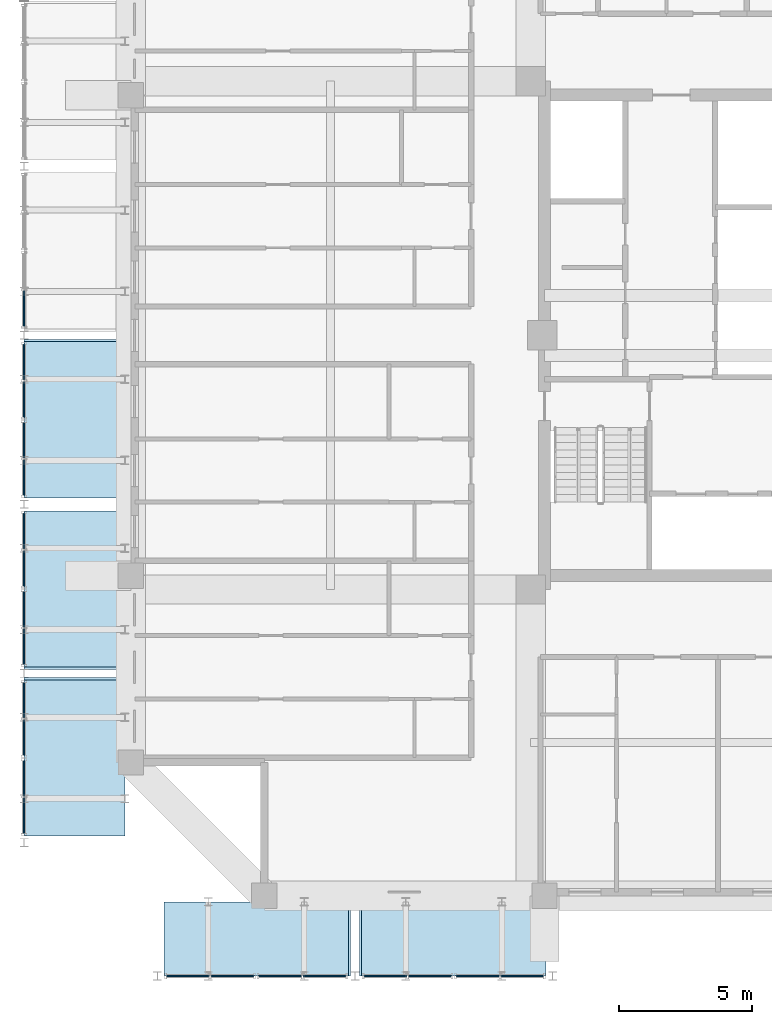
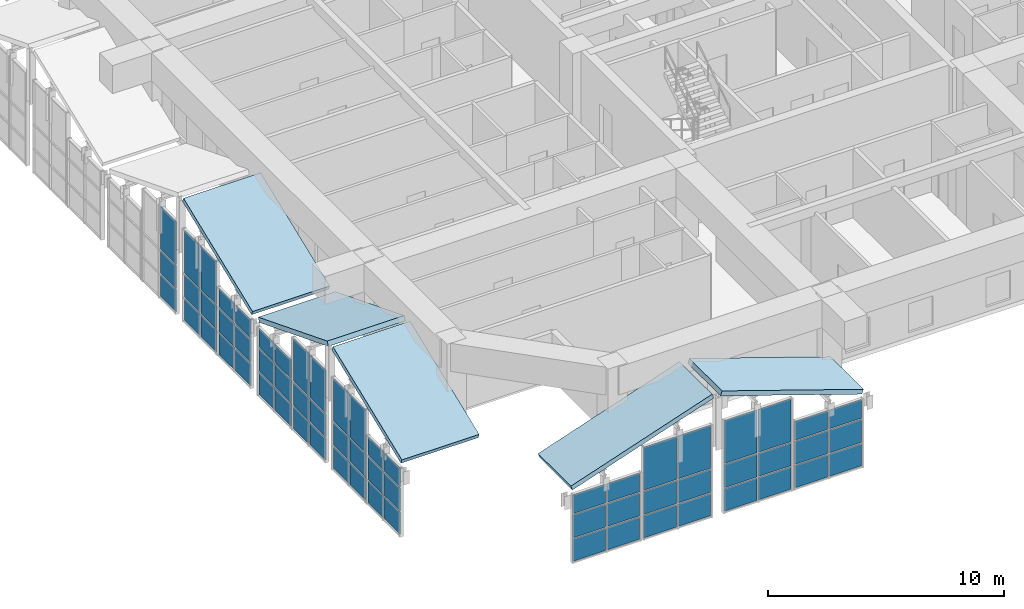
# One storey, part 32 of 45: 63 plates, 5 slabs, 11 elements without a shape of their own.
"""IFC4 building model written with IfcOpenShell, lengths in metres."""

from ifc_helpers import new_model, si_unit, direction, frame, origin, origin_2d, place, context, subcontext, project, spatial, polyline, rectangle, outline, extrude, source, transform, mapped, material, layer, layer_set, type_object, element, aggregate, save


model = new_model("IFC4")

# Units and contexts
model_context = context("Model", 3, precision=1e-05, world=origin(), true_north=direction((0.0, 1.0)))
body_context = subcontext(model_context, "Body", "Model", "MODEL_VIEW")
ifc_project = project(units=[si_unit("LENGTHUNIT", "METRE"), si_unit("AREAUNIT", "SQUARE_METRE"), si_unit("VOLUMEUNIT", "CUBIC_METRE"), si_unit("PLANEANGLEUNIT", "RADIAN"), si_unit("MASSUNIT", "GRAM", prefix="KILO")], contexts=[model_context])

# Site, building, storey
site_placement = place(None, origin())
site = spatial("IfcSite", under=ifc_project, at=site_placement, CompositionType="ELEMENT")
building_placement = place(site_placement, origin())
building = spatial("IfcBuilding", under=site, at=building_placement, Name="Saelheon Loggia Tower", CompositionType="ELEMENT")
storey_placement = place(building_placement, frame((0.0, 0.0, 152.199951171875)))
storey = spatial("IfcBuildingStorey", under=building, at=storey_placement, Name="L48", CompositionType="ELEMENT", Elevation=152.199951171875)

# Slabs
ifc_material_1 = material(Name="Precast Concrete C45/55", Category="concrete")
ifc_layer_1 = layer(ifc_material_1, 0.239990234375)
ifc_layer_set_1 = layer_set([ifc_layer_1], Name="Precast Concrete C45/55")
slab_type = type_object("IfcSlabType", Name="Slab_WaveRoof_240", PredefinedType="ROOF", material=ifc_layer_set_1)
slab_1_placement = place(storey_placement, frame((12.0, 8.239990234375, 0.544677734375), z_axis=(0.0, -0.36720628368, 0.930139529977), x_axis=(1.0, 0.0, 0.0)))
element("IfcSlab", 1, at=slab_1_placement, inside=storey, type_object=slab_type, Name="Tier 1 Wave Crest Roof Facet W 01", PredefinedType="ROOF", context=body_context, shape_type="SweptSolid", body=[
    extrude(outline(polyline([(0.0, 0.0), (3.780029296875, 0.0), (3.780029296875, 6.292896168513408), (0.0, 6.292896168513408), (0.0, 0.0)])), origin(), (0.0, 0.0, -1.0), 0.239990234375),
])
slab_2_placement = place(storey_placement, frame((12.0, 14.5732421875, 2.85546875), z_axis=(0.0, 0.36719303315, 0.930144760995), x_axis=(1.0, 0.0, 0.0)))
element("IfcSlab", 2, at=slab_2_placement, inside=storey, type_object=slab_type, Name="Tier 1 Wave Crest Roof Facet W 02", PredefinedType="ROOF", context=body_context, shape_type="SweptSolid", body=[
    extrude(outline(polyline([(0.0, 0.0), (3.780029296875, 0.0), (3.780029296875, 6.293123253998158), (0.0, 6.293123253998158), (0.0, 0.0)])), origin(), (0.0, 0.0, -1.0), 0.239990234375),
])
slab_3_placement = place(storey_placement, frame((12.0, 20.90673828125, 0.544677734375), z_axis=(0.0, -0.36720628368, 0.930139529977), x_axis=(1.0, 0.0, 0.0)))
element("IfcSlab", 3, at=slab_3_placement, inside=storey, type_object=slab_type, Name="Tier 1 Wave Crest Roof Facet W 03", PredefinedType="ROOF", context=body_context, shape_type="SweptSolid", body=[
    extrude(outline(polyline([(0.0, 0.0), (3.780029296875, 0.0), (3.780029296875, 6.292896168513408), (0.0, 6.292896168513408), (0.0, 0.0)])), origin(), (0.0, 0.0, -1.0), 0.239990234375),
])
slab_4_placement = place(storey_placement, frame((17.239990234375, 3.0, 0.53125), z_axis=(-0.320045694978, 0.0, 0.947402107411), x_axis=(0.0, 1.0, 0.0)))
element("IfcSlab", 4, at=slab_4_placement, inside=storey, type_object=slab_type, Name="Tier 1 Wave Crest Roof Facet SW 01", PredefinedType="ROOF", context=body_context, shape_type="SweptSolid", body=[
    extrude(outline(polyline([(0.0, 0.0), (2.780029296875, 0.0), (2.780029296875, -7.304102261196396), (0.0, -7.304102261196396), (0.0, 0.0)])), origin(), (0.0, 0.0, -1.0), 0.239990234375),
])
slab_5_placement = place(storey_placement, frame((24.639892578125, 3.0, 2.868896484375), z_axis=(0.320035560379, 0.0, 0.94740553096), x_axis=(0.0, 1.0, 0.0)))
element("IfcSlab", 5, at=slab_5_placement, inside=storey, type_object=slab_type, Name="Tier 1 Wave Crest Roof Facet SW 02", PredefinedType="ROOF", context=body_context, shape_type="SweptSolid", body=[
    extrude(outline(polyline([(0.0, 0.0), (2.780029296875, 0.0), (2.780029296875, -7.3043335609569455), (0.0, -7.3043335609569455), (0.0, 0.0)])), origin(), (0.0, 0.0, -1.0), 0.239990234375),
])

# Curtain wall, plates
ifc_material_2 = material(Name="Bronze-Anodised Aluminium and Fritted Ceramic Screen", Category="aluminium")
ifc_layer_2 = layer(ifc_material_2, 0.219970703125)
ifc_layer_set_2 = layer_set([ifc_layer_2], Name="Bronze-Anodised Aluminium and Fritted Ceramic Screen")
curtain_wall_type = type_object("IfcCurtainWallType", Name="CW_CrownScreen", PredefinedType="NOTDEFINED", material=ifc_layer_set_2)
curtain_wall_1_placement = place(storey_placement, origin())
curtain_wall_1 = element("IfcCurtainWall", 6, at=curtain_wall_1_placement, inside=storey, type_object=curtain_wall_type, Name="Tier 1 Wave Crest Glazing W 01-1", PredefinedType="NOTDEFINED")
ifc_material_3 = material(Name="Bronze Ceramic Fritted Spandrel Panel", Category="aluminium")
ifc_layer_3 = layer(ifc_material_3, 0.0380859375)
ifc_layer_set_3 = layer_set([ifc_layer_3], Name="Bronze Ceramic Fritted Spandrel Panel")
plate_type = type_object("IfcPlateType", Name="CW_CrownScreen_Panel", PredefinedType="CURTAIN_PANEL", material=ifc_layer_set_3)
shared_shape_1 = source(origin(), body_context, "Body", "SweptSolid", [
    extrude(rectangle(XDim=1.328369140625, YDim=0.0380859375, at=origin_2d()), origin(), (0.0, 0.0, 1.0), 1.14501953125),
])
plate_1_placement = place(storey_placement, frame((12.0, 9.004150390625, -3.3798828125), z_axis=(0.0, 0.0, 1.0), x_axis=(0.0, 1.0, 0.0)))
plate_1 = element("IfcPlate", 7, at=plate_1_placement, type_object=plate_type, Name="CW6 panel 1.1", PredefinedType="CURTAIN_PANEL", context=body_context, shape_type="MappedRepresentation", body=[
    mapped(shared_shape_1, transform((0.0, 0.0, 0.0), scale=1.0)),
])
plate_2_placement = place(storey_placement, frame((12.0, 10.402587890625, -3.3798828125), z_axis=(0.0, 0.0, 1.0), x_axis=(0.0, 1.0, 0.0)))
plate_2 = element("IfcPlate", 8, at=plate_2_placement, type_object=plate_type, Name="CW6 panel 2.1", PredefinedType="CURTAIN_PANEL", context=body_context, shape_type="MappedRepresentation", body=[
    mapped(shared_shape_1, transform((0.0, 0.0, 0.0), scale=1.0)),
])

curtain_wall_2_placement = place(storey_placement, origin())
curtain_wall_2 = element("IfcCurtainWall", 9, at=curtain_wall_2_placement, inside=storey, type_object=curtain_wall_type, Name="Tier 1 Wave Crest Glazing W 01-2", PredefinedType="NOTDEFINED")
plate_3_placement = place(storey_placement, frame((12.0, 11.9306640625, -3.3798828125), z_axis=(0.0, 0.0, 1.0), x_axis=(0.0, 1.0, 0.0)))
plate_3 = element("IfcPlate", 10, at=plate_3_placement, type_object=plate_type, Name="CW6 panel 1.1", PredefinedType="CURTAIN_PANEL", context=body_context, shape_type="MappedRepresentation", body=[
    mapped(shared_shape_1, transform((0.0, 0.0, 0.0), scale=1.0)),
])
plate_4_placement = place(storey_placement, frame((12.0, 13.3291015625, -3.3798828125), z_axis=(0.0, 0.0, 1.0), x_axis=(0.0, 1.0, 0.0)))
plate_4 = element("IfcPlate", 11, at=plate_4_placement, type_object=plate_type, Name="CW6 panel 2.1", PredefinedType="CURTAIN_PANEL", context=body_context, shape_type="MappedRepresentation", body=[
    mapped(shared_shape_1, transform((0.0, 0.0, 0.0), scale=1.0)),
])

curtain_wall_3_placement = place(storey_placement, origin())
curtain_wall_3 = element("IfcCurtainWall", 12, at=curtain_wall_3_placement, inside=storey, type_object=curtain_wall_type, Name="Tier 1 Wave Crest Glazing W 02-1", PredefinedType="NOTDEFINED")
plate_5_placement = place(storey_placement, frame((12.0, 15.33740234375, -3.3798828125), z_axis=(0.0, 0.0, 1.0), x_axis=(0.0, 1.0, 0.0)))
plate_5 = element("IfcPlate", 13, at=plate_5_placement, type_object=plate_type, Name="CW6 panel 1.1", PredefinedType="CURTAIN_PANEL", context=body_context, shape_type="MappedRepresentation", body=[
    mapped(shared_shape_1, transform((0.0, 0.0, 0.0), scale=1.0)),
])
plate_6_placement = place(storey_placement, frame((12.0, 16.73583984375, -3.3798828125), z_axis=(0.0, 0.0, 1.0), x_axis=(0.0, 1.0, 0.0)))
plate_6 = element("IfcPlate", 14, at=plate_6_placement, type_object=plate_type, Name="CW6 panel 2.1", PredefinedType="CURTAIN_PANEL", context=body_context, shape_type="MappedRepresentation", body=[
    mapped(shared_shape_1, transform((0.0, 0.0, 0.0), scale=1.0)),
])

curtain_wall_4_placement = place(storey_placement, origin())
curtain_wall_4 = element("IfcCurtainWall", 15, at=curtain_wall_4_placement, inside=storey, type_object=curtain_wall_type, Name="Tier 1 Wave Crest Glazing W 02-2", PredefinedType="NOTDEFINED")
plate_7_placement = place(storey_placement, frame((12.0, 18.26416015625, -3.3798828125), z_axis=(0.0, 0.0, 1.0), x_axis=(0.0, 1.0, 0.0)))
plate_7 = element("IfcPlate", 16, at=plate_7_placement, type_object=plate_type, Name="CW6 panel 1.1", PredefinedType="CURTAIN_PANEL", context=body_context, shape_type="MappedRepresentation", body=[
    mapped(shared_shape_1, transform((0.0, 0.0, 0.0), scale=1.0)),
])
plate_8_placement = place(storey_placement, frame((12.0, 19.66259765625, -3.3798828125), z_axis=(0.0, 0.0, 1.0), x_axis=(0.0, 1.0, 0.0)))
plate_8 = element("IfcPlate", 17, at=plate_8_placement, type_object=plate_type, Name="CW6 panel 2.1", PredefinedType="CURTAIN_PANEL", context=body_context, shape_type="MappedRepresentation", body=[
    mapped(shared_shape_1, transform((0.0, 0.0, 0.0), scale=1.0)),
])

curtain_wall_5_placement = place(storey_placement, origin())
curtain_wall_5 = element("IfcCurtainWall", 18, at=curtain_wall_5_placement, inside=storey, type_object=curtain_wall_type, Name="Tier 1 Wave Crest Glazing W 03-1", PredefinedType="NOTDEFINED")
plate_9_placement = place(storey_placement, frame((12.0, 21.6708984375, -3.3798828125), z_axis=(0.0, 0.0, 1.0), x_axis=(0.0, 1.0, 0.0)))
plate_9 = element("IfcPlate", 19, at=plate_9_placement, type_object=plate_type, Name="CW6 panel 1.1", PredefinedType="CURTAIN_PANEL", context=body_context, shape_type="MappedRepresentation", body=[
    mapped(shared_shape_1, transform((0.0, 0.0, 0.0), scale=1.0)),
])
plate_10_placement = place(storey_placement, frame((12.0, 23.069091796875, -3.3798828125), z_axis=(0.0, 0.0, 1.0), x_axis=(0.0, 1.0, 0.0)))
plate_10 = element("IfcPlate", 20, at=plate_10_placement, type_object=plate_type, Name="CW6 panel 2.1", PredefinedType="CURTAIN_PANEL", context=body_context, shape_type="MappedRepresentation", body=[
    mapped(shared_shape_1, transform((0.0, 0.0, 0.0), scale=1.0)),
])

curtain_wall_6_placement = place(storey_placement, origin())
curtain_wall_6 = element("IfcCurtainWall", 21, at=curtain_wall_6_placement, inside=storey, type_object=curtain_wall_type, Name="Tier 1 Wave Crest Glazing W 03-2", PredefinedType="NOTDEFINED")
plate_11_placement = place(storey_placement, frame((12.0, 24.59765625, -3.3798828125), z_axis=(0.0, 0.0, 1.0), x_axis=(0.0, 1.0, 0.0)))
plate_11 = element("IfcPlate", 22, at=plate_11_placement, type_object=plate_type, Name="CW6 panel 1.1", PredefinedType="CURTAIN_PANEL", context=body_context, shape_type="MappedRepresentation", body=[
    mapped(shared_shape_1, transform((0.0, 0.0, 0.0), scale=1.0)),
])
plate_12_placement = place(storey_placement, frame((12.0, 25.995849609375, -3.3798828125), z_axis=(0.0, 0.0, 1.0), x_axis=(0.0, 1.0, 0.0)))
plate_12 = element("IfcPlate", 23, at=plate_12_placement, type_object=plate_type, Name="CW6 panel 2.1", PredefinedType="CURTAIN_PANEL", context=body_context, shape_type="MappedRepresentation", body=[
    mapped(shared_shape_1, transform((0.0, 0.0, 0.0), scale=1.0)),
])

# Curtain wall, plate
curtain_wall_7_placement = place(storey_placement, origin())
curtain_wall_7 = element("IfcCurtainWall", 24, at=curtain_wall_7_placement, inside=storey, type_object=curtain_wall_type, Name="Tier 1 Wave Crest Glazing W 04-1", PredefinedType="NOTDEFINED")
plate_13_placement = place(storey_placement, frame((12.0, 28.004150390625, -3.3798828125), z_axis=(0.0, 0.0, 1.0), x_axis=(0.0, 1.0, 0.0)))
plate_13 = element("IfcPlate", 25, at=plate_13_placement, type_object=plate_type, Name="CW6 panel 1.1", PredefinedType="CURTAIN_PANEL", context=body_context, shape_type="MappedRepresentation", body=[
    mapped(shared_shape_1, transform((0.0, 0.0, 0.0), scale=1.0)),
])

# Plate
shared_shape_2 = source(origin(), body_context, "Body", "SweptSolid", [
    extrude(rectangle(XDim=1.328369140625, YDim=0.0380859375, at=origin_2d()), origin(), (0.0, 0.0, 1.0), 1.179931640625),
])
plate_14_placement = place(storey_placement, frame((12.0, 9.004150390625, -2.1650390625), z_axis=(0.0, 0.0, 1.0), x_axis=(0.0, 1.0, 0.0)))
plate_14 = element("IfcPlate", 26, at=plate_14_placement, type_object=plate_type, Name="CW6 panel 1.2", PredefinedType="CURTAIN_PANEL", context=body_context, shape_type="MappedRepresentation", body=[
    mapped(shared_shape_2, transform((0.0, 0.0, 0.0), scale=1.0)),
])

plate_15_placement = place(storey_placement, frame((12.0, 10.402587890625, -2.1650390625), z_axis=(0.0, 0.0, 1.0), x_axis=(0.0, 1.0, 0.0)))
plate_15 = element("IfcPlate", 27, at=plate_15_placement, type_object=plate_type, Name="CW6 panel 2.2", PredefinedType="CURTAIN_PANEL", context=body_context, shape_type="MappedRepresentation", body=[
    mapped(shared_shape_2, transform((0.0, 0.0, 0.0), scale=1.0)),
])

plate_16_placement = place(storey_placement, frame((12.0, 11.9306640625, -2.1650390625), z_axis=(0.0, 0.0, 1.0), x_axis=(0.0, 1.0, 0.0)))
plate_16 = element("IfcPlate", 28, at=plate_16_placement, type_object=plate_type, Name="CW6 panel 1.2", PredefinedType="CURTAIN_PANEL", context=body_context, shape_type="MappedRepresentation", body=[
    mapped(shared_shape_2, transform((0.0, 0.0, 0.0), scale=1.0)),
])

plate_17_placement = place(storey_placement, frame((12.0, 13.3291015625, -2.1650390625), z_axis=(0.0, 0.0, 1.0), x_axis=(0.0, 1.0, 0.0)))
plate_17 = element("IfcPlate", 29, at=plate_17_placement, type_object=plate_type, Name="CW6 panel 2.2", PredefinedType="CURTAIN_PANEL", context=body_context, shape_type="MappedRepresentation", body=[
    mapped(shared_shape_2, transform((0.0, 0.0, 0.0), scale=1.0)),
])

plate_18_placement = place(storey_placement, frame((12.0, 15.33740234375, -2.1650390625), z_axis=(0.0, 0.0, 1.0), x_axis=(0.0, 1.0, 0.0)))
plate_18 = element("IfcPlate", 30, at=plate_18_placement, type_object=plate_type, Name="CW6 panel 1.2", PredefinedType="CURTAIN_PANEL", context=body_context, shape_type="MappedRepresentation", body=[
    mapped(shared_shape_2, transform((0.0, 0.0, 0.0), scale=1.0)),
])

plate_19_placement = place(storey_placement, frame((12.0, 16.73583984375, -2.1650390625), z_axis=(0.0, 0.0, 1.0), x_axis=(0.0, 1.0, 0.0)))
plate_19 = element("IfcPlate", 31, at=plate_19_placement, type_object=plate_type, Name="CW6 panel 2.2", PredefinedType="CURTAIN_PANEL", context=body_context, shape_type="MappedRepresentation", body=[
    mapped(shared_shape_2, transform((0.0, 0.0, 0.0), scale=1.0)),
])

plate_20_placement = place(storey_placement, frame((12.0, 18.26416015625, -2.1650390625), z_axis=(0.0, 0.0, 1.0), x_axis=(0.0, 1.0, 0.0)))
plate_20 = element("IfcPlate", 32, at=plate_20_placement, type_object=plate_type, Name="CW6 panel 1.2", PredefinedType="CURTAIN_PANEL", context=body_context, shape_type="MappedRepresentation", body=[
    mapped(shared_shape_2, transform((0.0, 0.0, 0.0), scale=1.0)),
])

plate_21_placement = place(storey_placement, frame((12.0, 19.66259765625, -2.1650390625), z_axis=(0.0, 0.0, 1.0), x_axis=(0.0, 1.0, 0.0)))
plate_21 = element("IfcPlate", 33, at=plate_21_placement, type_object=plate_type, Name="CW6 panel 2.2", PredefinedType="CURTAIN_PANEL", context=body_context, shape_type="MappedRepresentation", body=[
    mapped(shared_shape_2, transform((0.0, 0.0, 0.0), scale=1.0)),
])

plate_22_placement = place(storey_placement, frame((12.0, 21.6708984375, -2.1650390625), z_axis=(0.0, 0.0, 1.0), x_axis=(0.0, 1.0, 0.0)))
plate_22 = element("IfcPlate", 34, at=plate_22_placement, type_object=plate_type, Name="CW6 panel 1.2", PredefinedType="CURTAIN_PANEL", context=body_context, shape_type="MappedRepresentation", body=[
    mapped(shared_shape_2, transform((0.0, 0.0, 0.0), scale=1.0)),
])

plate_23_placement = place(storey_placement, frame((12.0, 23.069091796875, -2.1650390625), z_axis=(0.0, 0.0, 1.0), x_axis=(0.0, 1.0, 0.0)))
plate_23 = element("IfcPlate", 35, at=plate_23_placement, type_object=plate_type, Name="CW6 panel 2.2", PredefinedType="CURTAIN_PANEL", context=body_context, shape_type="MappedRepresentation", body=[
    mapped(shared_shape_2, transform((0.0, 0.0, 0.0), scale=1.0)),
])

plate_24_placement = place(storey_placement, frame((12.0, 24.59765625, -2.1650390625), z_axis=(0.0, 0.0, 1.0), x_axis=(0.0, 1.0, 0.0)))
plate_24 = element("IfcPlate", 36, at=plate_24_placement, type_object=plate_type, Name="CW6 panel 1.2", PredefinedType="CURTAIN_PANEL", context=body_context, shape_type="MappedRepresentation", body=[
    mapped(shared_shape_2, transform((0.0, 0.0, 0.0), scale=1.0)),
])

plate_25_placement = place(storey_placement, frame((12.0, 25.995849609375, -2.1650390625), z_axis=(0.0, 0.0, 1.0), x_axis=(0.0, 1.0, 0.0)))
plate_25 = element("IfcPlate", 37, at=plate_25_placement, type_object=plate_type, Name="CW6 panel 2.2", PredefinedType="CURTAIN_PANEL", context=body_context, shape_type="MappedRepresentation", body=[
    mapped(shared_shape_2, transform((0.0, 0.0, 0.0), scale=1.0)),
])

plate_26_placement = place(storey_placement, frame((12.0, 28.004150390625, -2.1650390625), z_axis=(0.0, 0.0, 1.0), x_axis=(0.0, 1.0, 0.0)))
plate_26 = element("IfcPlate", 38, at=plate_26_placement, type_object=plate_type, Name="CW6 panel 1.2", PredefinedType="CURTAIN_PANEL", context=body_context, shape_type="MappedRepresentation", body=[
    mapped(shared_shape_2, transform((0.0, 0.0, 0.0), scale=1.0)),
])

shared_shape_3 = source(origin(), body_context, "Body", "SweptSolid", [
    extrude(rectangle(XDim=1.328369140625, YDim=0.0380859375, at=origin_2d()), origin(), (0.0, 0.0, 1.0), 0.955078125),
])
plate_27_placement = place(storey_placement, frame((12.0, 9.004150390625, -0.9150390625), z_axis=(0.0, 0.0, 1.0), x_axis=(0.0, 1.0, 0.0)))
plate_27 = element("IfcPlate", 39, at=plate_27_placement, type_object=plate_type, Name="CW6 panel 1.3", PredefinedType="CURTAIN_PANEL", context=body_context, shape_type="MappedRepresentation", body=[
    mapped(shared_shape_3, transform((0.0, 0.0, 0.0), scale=1.0)),
])

plate_28_placement = place(storey_placement, frame((12.0, 10.402587890625, -0.9150390625), z_axis=(0.0, 0.0, 1.0), x_axis=(0.0, 1.0, 0.0)))
plate_28 = element("IfcPlate", 40, at=plate_28_placement, type_object=plate_type, Name="CW6 panel 2.3", PredefinedType="CURTAIN_PANEL", context=body_context, shape_type="MappedRepresentation", body=[
    mapped(shared_shape_3, transform((0.0, 0.0, 0.0), scale=1.0)),
])

aggregate(curtain_wall_1, [plate_1, plate_14, plate_27, plate_2, plate_15, plate_28])

plate_29_placement = place(storey_placement, frame((12.0, 18.26416015625, -0.9150390625), z_axis=(0.0, 0.0, 1.0), x_axis=(0.0, 1.0, 0.0)))
plate_29 = element("IfcPlate", 41, at=plate_29_placement, type_object=plate_type, Name="CW6 panel 1.3", PredefinedType="CURTAIN_PANEL", context=body_context, shape_type="MappedRepresentation", body=[
    mapped(shared_shape_3, transform((0.0, 0.0, 0.0), scale=1.0)),
])

plate_30_placement = place(storey_placement, frame((12.0, 19.66259765625, -0.9150390625), z_axis=(0.0, 0.0, 1.0), x_axis=(0.0, 1.0, 0.0)))
plate_30 = element("IfcPlate", 42, at=plate_30_placement, type_object=plate_type, Name="CW6 panel 2.3", PredefinedType="CURTAIN_PANEL", context=body_context, shape_type="MappedRepresentation", body=[
    mapped(shared_shape_3, transform((0.0, 0.0, 0.0), scale=1.0)),
])

aggregate(curtain_wall_4, [plate_7, plate_20, plate_29, plate_8, plate_21, plate_30])

plate_31_placement = place(storey_placement, frame((12.0, 21.6708984375, -0.9150390625), z_axis=(0.0, 0.0, 1.0), x_axis=(0.0, 1.0, 0.0)))
plate_31 = element("IfcPlate", 43, at=plate_31_placement, type_object=plate_type, Name="CW6 panel 1.3", PredefinedType="CURTAIN_PANEL", context=body_context, shape_type="MappedRepresentation", body=[
    mapped(shared_shape_3, transform((0.0, 0.0, 0.0), scale=1.0)),
])

plate_32_placement = place(storey_placement, frame((12.0, 23.069091796875, -0.9150390625), z_axis=(0.0, 0.0, 1.0), x_axis=(0.0, 1.0, 0.0)))
plate_32 = element("IfcPlate", 44, at=plate_32_placement, type_object=plate_type, Name="CW6 panel 2.3", PredefinedType="CURTAIN_PANEL", context=body_context, shape_type="MappedRepresentation", body=[
    mapped(shared_shape_3, transform((0.0, 0.0, 0.0), scale=1.0)),
])

aggregate(curtain_wall_5, [plate_9, plate_22, plate_31, plate_10, plate_23, plate_32])

shared_shape_4 = source(origin(), body_context, "Body", "SweptSolid", [
    extrude(rectangle(XDim=1.328369140625, YDim=0.0380859375, at=origin_2d()), origin(), (0.0, 0.0, 1.0), 2.205078125),
])
plate_33_placement = place(storey_placement, frame((12.0, 11.9306640625, -0.9150390625), z_axis=(0.0, 0.0, 1.0), x_axis=(0.0, 1.0, 0.0)))
plate_33 = element("IfcPlate", 45, at=plate_33_placement, type_object=plate_type, Name="CW6 panel 1.3", PredefinedType="CURTAIN_PANEL", context=body_context, shape_type="MappedRepresentation", body=[
    mapped(shared_shape_4, transform((0.0, 0.0, 0.0), scale=1.0)),
])

plate_34_placement = place(storey_placement, frame((12.0, 13.3291015625, -0.9150390625), z_axis=(0.0, 0.0, 1.0), x_axis=(0.0, 1.0, 0.0)))
plate_34 = element("IfcPlate", 46, at=plate_34_placement, type_object=plate_type, Name="CW6 panel 2.3", PredefinedType="CURTAIN_PANEL", context=body_context, shape_type="MappedRepresentation", body=[
    mapped(shared_shape_4, transform((0.0, 0.0, 0.0), scale=1.0)),
])

aggregate(curtain_wall_2, [plate_3, plate_16, plate_33, plate_4, plate_17, plate_34])

plate_35_placement = place(storey_placement, frame((12.0, 15.33740234375, -0.9150390625), z_axis=(0.0, 0.0, 1.0), x_axis=(0.0, 1.0, 0.0)))
plate_35 = element("IfcPlate", 47, at=plate_35_placement, type_object=plate_type, Name="CW6 panel 1.3", PredefinedType="CURTAIN_PANEL", context=body_context, shape_type="MappedRepresentation", body=[
    mapped(shared_shape_4, transform((0.0, 0.0, 0.0), scale=1.0)),
])

plate_36_placement = place(storey_placement, frame((12.0, 16.73583984375, -0.9150390625), z_axis=(0.0, 0.0, 1.0), x_axis=(0.0, 1.0, 0.0)))
plate_36 = element("IfcPlate", 48, at=plate_36_placement, type_object=plate_type, Name="CW6 panel 2.3", PredefinedType="CURTAIN_PANEL", context=body_context, shape_type="MappedRepresentation", body=[
    mapped(shared_shape_4, transform((0.0, 0.0, 0.0), scale=1.0)),
])

aggregate(curtain_wall_3, [plate_5, plate_18, plate_35, plate_6, plate_19, plate_36])

plate_37_placement = place(storey_placement, frame((12.0, 24.59765625, -0.9150390625), z_axis=(0.0, 0.0, 1.0), x_axis=(0.0, 1.0, 0.0)))
plate_37 = element("IfcPlate", 49, at=plate_37_placement, type_object=plate_type, Name="CW6 panel 1.3", PredefinedType="CURTAIN_PANEL", context=body_context, shape_type="MappedRepresentation", body=[
    mapped(shared_shape_4, transform((0.0, 0.0, 0.0), scale=1.0)),
])

plate_38_placement = place(storey_placement, frame((12.0, 25.995849609375, -0.9150390625), z_axis=(0.0, 0.0, 1.0), x_axis=(0.0, 1.0, 0.0)))
plate_38 = element("IfcPlate", 50, at=plate_38_placement, type_object=plate_type, Name="CW6 panel 2.3", PredefinedType="CURTAIN_PANEL", context=body_context, shape_type="MappedRepresentation", body=[
    mapped(shared_shape_4, transform((0.0, 0.0, 0.0), scale=1.0)),
])

aggregate(curtain_wall_6, [plate_11, plate_24, plate_37, plate_12, plate_25, plate_38])

plate_39_placement = place(storey_placement, frame((12.0, 28.004150390625, -0.9150390625), z_axis=(0.0, 0.0, 1.0), x_axis=(0.0, 1.0, 0.0)))
plate_39 = element("IfcPlate", 51, at=plate_39_placement, type_object=plate_type, Name="CW6 panel 1.3", PredefinedType="CURTAIN_PANEL", context=body_context, shape_type="MappedRepresentation", body=[
    mapped(shared_shape_4, transform((0.0, 0.0, 0.0), scale=1.0)),
])

aggregate(curtain_wall_7, [plate_13, plate_26, plate_39])

# Curtain wall, plates
curtain_wall_8_placement = place(storey_placement, origin())
curtain_wall_8 = element("IfcCurtainWall", 52, at=curtain_wall_8_placement, inside=storey, type_object=curtain_wall_type, Name="Tier 1 Wave Crest Glazing SW 01-1", PredefinedType="NOTDEFINED")
shared_shape_5 = source(origin(), body_context, "Body", "SweptSolid", [
    extrude(rectangle(XDim=1.594970703125, YDim=0.0380859375, at=origin_2d()), origin(), (0.0, 0.0, 1.0), 1.14501953125),
])
plate_40_placement = place(storey_placement, frame((18.137451171875, 3.0, -3.3798828125), z_axis=(0.0, 0.0, 1.0), x_axis=(1.0, 0.0, 0.0)))
plate_40 = element("IfcPlate", 53, at=plate_40_placement, type_object=plate_type, Name="CW6 panel 1.1", PredefinedType="CURTAIN_PANEL", context=body_context, shape_type="MappedRepresentation", body=[
    mapped(shared_shape_5, transform((0.0, 0.0, 0.0), scale=1.0)),
])
plate_41_placement = place(storey_placement, frame((19.802490234375, 3.0, -3.3798828125), z_axis=(0.0, 0.0, 1.0), x_axis=(1.0, 0.0, 0.0)))
plate_41 = element("IfcPlate", 54, at=plate_41_placement, type_object=plate_type, Name="CW6 panel 2.1", PredefinedType="CURTAIN_PANEL", context=body_context, shape_type="MappedRepresentation", body=[
    mapped(shared_shape_5, transform((0.0, 0.0, 0.0), scale=1.0)),
])

curtain_wall_9_placement = place(storey_placement, origin())
curtain_wall_9 = element("IfcCurtainWall", 55, at=curtain_wall_9_placement, inside=storey, type_object=curtain_wall_type, Name="Tier 1 Wave Crest Glazing SW 01-2", PredefinedType="NOTDEFINED")
plate_42_placement = place(storey_placement, frame((21.597412109375, 3.0, -3.3798828125), z_axis=(0.0, 0.0, 1.0), x_axis=(1.0, 0.0, 0.0)))
plate_42 = element("IfcPlate", 56, at=plate_42_placement, type_object=plate_type, Name="CW6 panel 1.1", PredefinedType="CURTAIN_PANEL", context=body_context, shape_type="MappedRepresentation", body=[
    mapped(shared_shape_5, transform((0.0, 0.0, 0.0), scale=1.0)),
])
plate_43_placement = place(storey_placement, frame((23.262451171875, 3.0, -3.3798828125), z_axis=(0.0, 0.0, 1.0), x_axis=(1.0, 0.0, 0.0)))
plate_43 = element("IfcPlate", 57, at=plate_43_placement, type_object=plate_type, Name="CW6 panel 2.1", PredefinedType="CURTAIN_PANEL", context=body_context, shape_type="MappedRepresentation", body=[
    mapped(shared_shape_5, transform((0.0, 0.0, 0.0), scale=1.0)),
])

curtain_wall_10_placement = place(storey_placement, origin())
curtain_wall_10 = element("IfcCurtainWall", 58, at=curtain_wall_10_placement, inside=storey, type_object=curtain_wall_type, Name="Tier 1 Wave Crest Glazing SW 02-1", PredefinedType="NOTDEFINED")
plate_44_placement = place(storey_placement, frame((25.53759765625, 3.0, -3.3798828125), z_axis=(0.0, 0.0, 1.0), x_axis=(1.0, 0.0, 0.0)))
plate_44 = element("IfcPlate", 59, at=plate_44_placement, type_object=plate_type, Name="CW6 panel 1.1", PredefinedType="CURTAIN_PANEL", context=body_context, shape_type="MappedRepresentation", body=[
    mapped(shared_shape_5, transform((0.0, 0.0, 0.0), scale=1.0)),
])
plate_45_placement = place(storey_placement, frame((27.202392578125, 3.0, -3.3798828125), z_axis=(0.0, 0.0, 1.0), x_axis=(1.0, 0.0, 0.0)))
plate_45 = element("IfcPlate", 60, at=plate_45_placement, type_object=plate_type, Name="CW6 panel 2.1", PredefinedType="CURTAIN_PANEL", context=body_context, shape_type="MappedRepresentation", body=[
    mapped(shared_shape_5, transform((0.0, 0.0, 0.0), scale=1.0)),
])

curtain_wall_11_placement = place(storey_placement, origin())
curtain_wall_11 = element("IfcCurtainWall", 61, at=curtain_wall_11_placement, inside=storey, type_object=curtain_wall_type, Name="Tier 1 Wave Crest Glazing SW 02-2", PredefinedType="NOTDEFINED")
plate_46_placement = place(storey_placement, frame((28.99755859375, 3.0, -3.3798828125), z_axis=(0.0, 0.0, 1.0), x_axis=(1.0, 0.0, 0.0)))
plate_46 = element("IfcPlate", 62, at=plate_46_placement, type_object=plate_type, Name="CW6 panel 1.1", PredefinedType="CURTAIN_PANEL", context=body_context, shape_type="MappedRepresentation", body=[
    mapped(shared_shape_5, transform((0.0, 0.0, 0.0), scale=1.0)),
])
plate_47_placement = place(storey_placement, frame((30.66259765625, 3.0, -3.3798828125), z_axis=(0.0, 0.0, 1.0), x_axis=(1.0, 0.0, 0.0)))
plate_47 = element("IfcPlate", 63, at=plate_47_placement, type_object=plate_type, Name="CW6 panel 2.1", PredefinedType="CURTAIN_PANEL", context=body_context, shape_type="MappedRepresentation", body=[
    mapped(shared_shape_5, transform((0.0, 0.0, 0.0), scale=1.0)),
])

# Plate
shared_shape_6 = source(origin(), body_context, "Body", "SweptSolid", [
    extrude(rectangle(XDim=1.594970703125, YDim=0.0380859375, at=origin_2d()), origin(), (0.0, 0.0, 1.0), 1.179931640625),
])
plate_48_placement = place(storey_placement, frame((18.137451171875, 3.0, -2.1650390625), z_axis=(0.0, 0.0, 1.0), x_axis=(1.0, 0.0, 0.0)))
plate_48 = element("IfcPlate", 64, at=plate_48_placement, type_object=plate_type, Name="CW6 panel 1.2", PredefinedType="CURTAIN_PANEL", context=body_context, shape_type="MappedRepresentation", body=[
    mapped(shared_shape_6, transform((0.0, 0.0, 0.0), scale=1.0)),
])

plate_49_placement = place(storey_placement, frame((19.802490234375, 3.0, -2.1650390625), z_axis=(0.0, 0.0, 1.0), x_axis=(1.0, 0.0, 0.0)))
plate_49 = element("IfcPlate", 65, at=plate_49_placement, type_object=plate_type, Name="CW6 panel 2.2", PredefinedType="CURTAIN_PANEL", context=body_context, shape_type="MappedRepresentation", body=[
    mapped(shared_shape_6, transform((0.0, 0.0, 0.0), scale=1.0)),
])

plate_50_placement = place(storey_placement, frame((21.597412109375, 3.0, -2.1650390625), z_axis=(0.0, 0.0, 1.0), x_axis=(1.0, 0.0, 0.0)))
plate_50 = element("IfcPlate", 66, at=plate_50_placement, type_object=plate_type, Name="CW6 panel 1.2", PredefinedType="CURTAIN_PANEL", context=body_context, shape_type="MappedRepresentation", body=[
    mapped(shared_shape_6, transform((0.0, 0.0, 0.0), scale=1.0)),
])

plate_51_placement = place(storey_placement, frame((23.262451171875, 3.0, -2.1650390625), z_axis=(0.0, 0.0, 1.0), x_axis=(1.0, 0.0, 0.0)))
plate_51 = element("IfcPlate", 67, at=plate_51_placement, type_object=plate_type, Name="CW6 panel 2.2", PredefinedType="CURTAIN_PANEL", context=body_context, shape_type="MappedRepresentation", body=[
    mapped(shared_shape_6, transform((0.0, 0.0, 0.0), scale=1.0)),
])

plate_52_placement = place(storey_placement, frame((25.53759765625, 3.0, -2.1650390625), z_axis=(0.0, 0.0, 1.0), x_axis=(1.0, 0.0, 0.0)))
plate_52 = element("IfcPlate", 68, at=plate_52_placement, type_object=plate_type, Name="CW6 panel 1.2", PredefinedType="CURTAIN_PANEL", context=body_context, shape_type="MappedRepresentation", body=[
    mapped(shared_shape_6, transform((0.0, 0.0, 0.0), scale=1.0)),
])

plate_53_placement = place(storey_placement, frame((27.202392578125, 3.0, -2.1650390625), z_axis=(0.0, 0.0, 1.0), x_axis=(1.0, 0.0, 0.0)))
plate_53 = element("IfcPlate", 69, at=plate_53_placement, type_object=plate_type, Name="CW6 panel 2.2", PredefinedType="CURTAIN_PANEL", context=body_context, shape_type="MappedRepresentation", body=[
    mapped(shared_shape_6, transform((0.0, 0.0, 0.0), scale=1.0)),
])

plate_54_placement = place(storey_placement, frame((28.99755859375, 3.0, -2.1650390625), z_axis=(0.0, 0.0, 1.0), x_axis=(1.0, 0.0, 0.0)))
plate_54 = element("IfcPlate", 70, at=plate_54_placement, type_object=plate_type, Name="CW6 panel 1.2", PredefinedType="CURTAIN_PANEL", context=body_context, shape_type="MappedRepresentation", body=[
    mapped(shared_shape_6, transform((0.0, 0.0, 0.0), scale=1.0)),
])

plate_55_placement = place(storey_placement, frame((30.66259765625, 3.0, -2.1650390625), z_axis=(0.0, 0.0, 1.0), x_axis=(1.0, 0.0, 0.0)))
plate_55 = element("IfcPlate", 71, at=plate_55_placement, type_object=plate_type, Name="CW6 panel 2.2", PredefinedType="CURTAIN_PANEL", context=body_context, shape_type="MappedRepresentation", body=[
    mapped(shared_shape_6, transform((0.0, 0.0, 0.0), scale=1.0)),
])

shared_shape_7 = source(origin(), body_context, "Body", "SweptSolid", [
    extrude(rectangle(XDim=1.594970703125, YDim=0.0380859375, at=origin_2d()), origin(), (0.0, 0.0, 1.0), 0.955078125),
])
plate_56_placement = place(storey_placement, frame((18.137451171875, 3.0, -0.9150390625), z_axis=(0.0, 0.0, 1.0), x_axis=(1.0, 0.0, 0.0)))
plate_56 = element("IfcPlate", 72, at=plate_56_placement, type_object=plate_type, Name="CW6 panel 1.3", PredefinedType="CURTAIN_PANEL", context=body_context, shape_type="MappedRepresentation", body=[
    mapped(shared_shape_7, transform((0.0, 0.0, 0.0), scale=1.0)),
])

plate_57_placement = place(storey_placement, frame((19.802490234375, 3.0, -0.9150390625), z_axis=(0.0, 0.0, 1.0), x_axis=(1.0, 0.0, 0.0)))
plate_57 = element("IfcPlate", 73, at=plate_57_placement, type_object=plate_type, Name="CW6 panel 2.3", PredefinedType="CURTAIN_PANEL", context=body_context, shape_type="MappedRepresentation", body=[
    mapped(shared_shape_7, transform((0.0, 0.0, 0.0), scale=1.0)),
])

aggregate(curtain_wall_8, [plate_40, plate_48, plate_56, plate_41, plate_49, plate_57])

plate_58_placement = place(storey_placement, frame((28.99755859375, 3.0, -0.9150390625), z_axis=(0.0, 0.0, 1.0), x_axis=(1.0, 0.0, 0.0)))
plate_58 = element("IfcPlate", 74, at=plate_58_placement, type_object=plate_type, Name="CW6 panel 1.3", PredefinedType="CURTAIN_PANEL", context=body_context, shape_type="MappedRepresentation", body=[
    mapped(shared_shape_7, transform((0.0, 0.0, 0.0), scale=1.0)),
])

plate_59_placement = place(storey_placement, frame((30.66259765625, 3.0, -0.9150390625), z_axis=(0.0, 0.0, 1.0), x_axis=(1.0, 0.0, 0.0)))
plate_59 = element("IfcPlate", 75, at=plate_59_placement, type_object=plate_type, Name="CW6 panel 2.3", PredefinedType="CURTAIN_PANEL", context=body_context, shape_type="MappedRepresentation", body=[
    mapped(shared_shape_7, transform((0.0, 0.0, 0.0), scale=1.0)),
])

aggregate(curtain_wall_11, [plate_46, plate_54, plate_58, plate_47, plate_55, plate_59])

shared_shape_8 = source(origin(), body_context, "Body", "SweptSolid", [
    extrude(rectangle(XDim=1.594970703125, YDim=0.0380859375, at=origin_2d()), origin(), (0.0, 0.0, 1.0), 2.205078125),
])
plate_60_placement = place(storey_placement, frame((21.597412109375, 3.0, -0.9150390625), z_axis=(0.0, 0.0, 1.0), x_axis=(1.0, 0.0, 0.0)))
plate_60 = element("IfcPlate", 76, at=plate_60_placement, type_object=plate_type, Name="CW6 panel 1.3", PredefinedType="CURTAIN_PANEL", context=body_context, shape_type="MappedRepresentation", body=[
    mapped(shared_shape_8, transform((0.0, 0.0, 0.0), scale=1.0)),
])

plate_61_placement = place(storey_placement, frame((23.262451171875, 3.0, -0.9150390625), z_axis=(0.0, 0.0, 1.0), x_axis=(1.0, 0.0, 0.0)))
plate_61 = element("IfcPlate", 77, at=plate_61_placement, type_object=plate_type, Name="CW6 panel 2.3", PredefinedType="CURTAIN_PANEL", context=body_context, shape_type="MappedRepresentation", body=[
    mapped(shared_shape_8, transform((0.0, 0.0, 0.0), scale=1.0)),
])

aggregate(curtain_wall_9, [plate_42, plate_50, plate_60, plate_43, plate_51, plate_61])

plate_62_placement = place(storey_placement, frame((25.53759765625, 3.0, -0.9150390625), z_axis=(0.0, 0.0, 1.0), x_axis=(1.0, 0.0, 0.0)))
plate_62 = element("IfcPlate", 78, at=plate_62_placement, type_object=plate_type, Name="CW6 panel 1.3", PredefinedType="CURTAIN_PANEL", context=body_context, shape_type="MappedRepresentation", body=[
    mapped(shared_shape_8, transform((0.0, 0.0, 0.0), scale=1.0)),
])

plate_63_placement = place(storey_placement, frame((27.202392578125, 3.0, -0.9150390625), z_axis=(0.0, 0.0, 1.0), x_axis=(1.0, 0.0, 0.0)))
plate_63 = element("IfcPlate", 79, at=plate_63_placement, type_object=plate_type, Name="CW6 panel 2.3", PredefinedType="CURTAIN_PANEL", context=body_context, shape_type="MappedRepresentation", body=[
    mapped(shared_shape_8, transform((0.0, 0.0, 0.0), scale=1.0)),
])

aggregate(curtain_wall_10, [plate_44, plate_52, plate_62, plate_45, plate_53, plate_63])

save(model, "model.ifc")
